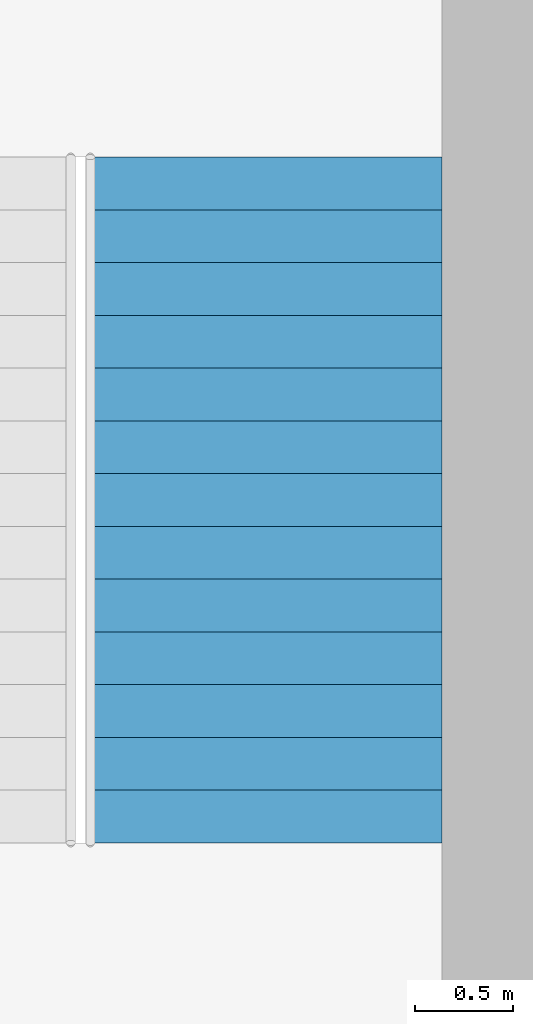
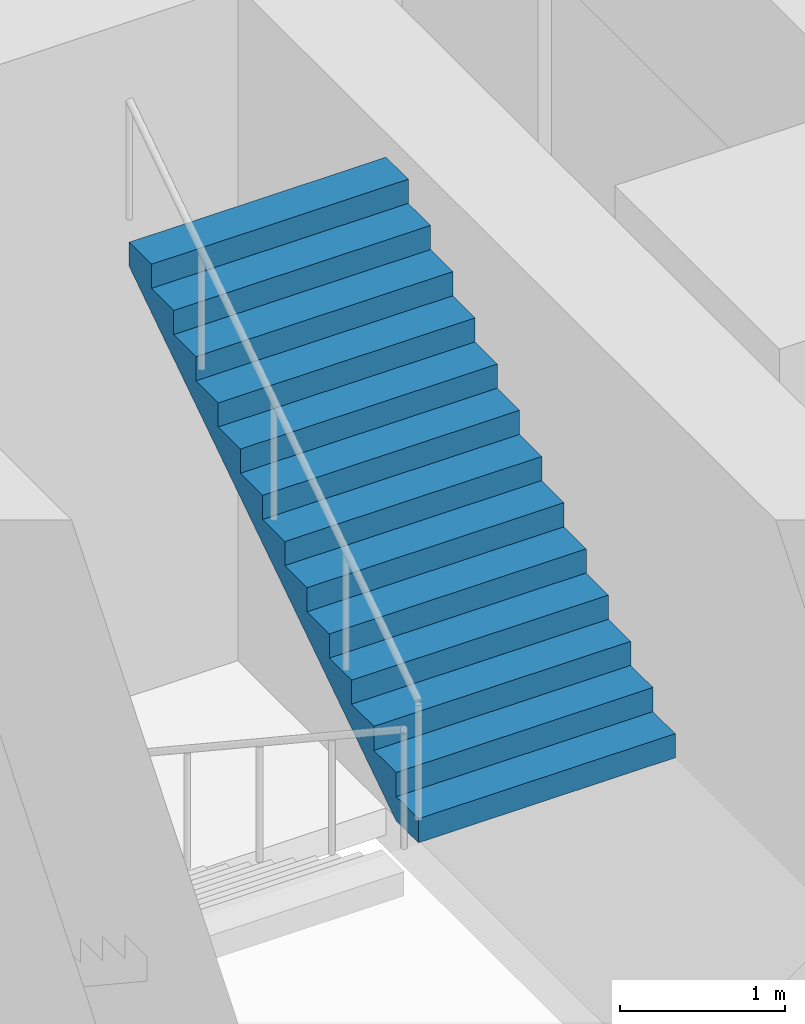
# One storey, part 13 of 16: 1 stair flight, 1 element without a shape of its own.
"""IFC4 building model written with IfcOpenShell, lengths in metres."""

from ifc_helpers import new_model, si_unit, direction, frame, origin, place, context, subcontext, project, spatial, polyline, outline, extrude, material, type_object, element, aggregate, save


model = new_model("IFC4")

# Units and contexts
model_context = context("Model", 3, precision=1e-05, world=origin(), true_north=direction((0.0, 1.0)))
body_context = subcontext(model_context, "Body", "Model", "MODEL_VIEW")
ifc_project = project(units=[si_unit("LENGTHUNIT", "METRE"), si_unit("AREAUNIT", "SQUARE_METRE"), si_unit("VOLUMEUNIT", "CUBIC_METRE"), si_unit("PLANEANGLEUNIT", "RADIAN"), si_unit("MASSUNIT", "GRAM", prefix="KILO")], contexts=[model_context])

# Site, building, storey
site_placement = place(None, origin())
site = spatial("IfcSite", under=ifc_project, at=site_placement, CompositionType="ELEMENT")
building_placement = place(site_placement, origin())
building = spatial("IfcBuilding", under=site, at=building_placement, Name="Cleftline Residences", CompositionType="ELEMENT")
storey_placement = place(building_placement, frame((0.0, 0.0, 16.0)))
storey = spatial("IfcBuildingStorey", under=building, at=storey_placement, Name="L03", CompositionType="ELEMENT", Elevation=16.0)

# Stair, stair flight
ifc_material_1 = material(Name="Concrete B45, stone treads", Category="masonry")
stair_type = type_object("IfcStairType", Name="STAIR E 1800 WIDE 179 RISER", PredefinedType="HALF_TURN_STAIR", material=ifc_material_1)
stair_placement = place(storey_placement, origin())
stair = element("IfcStair", 1, at=stair_placement, inside=storey, type_object=stair_type, Name="Stair E L03", PredefinedType="HALF_TURN_STAIR")
ifc_material_2 = material(Name="Concrete B45", Category="concrete")
stair_flight_type = type_object("IfcStairFlightType", Name="STAIR E FLIGHT 1800X179", PredefinedType="STRAIGHT", material=ifc_material_2)
stair_flight_placement = place(storey_placement, frame((62.824951171875, 22.6650390625, 2.5), z_axis=(0.0, 0.0, 1.0), x_axis=(0.0, 1.0, 0.0)))
stair_flight = element("IfcStairFlight", 2, at=stair_flight_placement, type_object=stair_flight_type, Name="ST-E flight 2", NumberOfRisers=14, NumberOfTreads=13, PredefinedType="STRAIGHT", RiserHeight=0.178571429, TreadLength=0.27, context=body_context, shape_type="SweptSolid", body=[
    extrude(outline(polyline([(0.0, 0.0), (0.0, 0.013671875), (0.0, 0.027587890625), (0.0, 0.041259765625), (0.0, 0.054931640625), (0.0, 0.068603515625), (0.0, 0.08251953125), (0.0, 0.09619140625), (0.0, 0.10986328125), (0.0, 0.12353515625), (0.0, 0.137451171875), (0.0, 0.151123046875), (0.0, 0.164794921875), (0.0, 0.178466796875), (0.27001953125, 0.178466796875), (0.27001953125, 0.357177734375), (0.5400390625, 0.357177734375), (0.5400390625, 0.53564453125), (0.81005859375, 0.53564453125), (0.81005859375, 0.71435546875), (1.080078125, 0.71435546875), (1.080078125, 0.892822265625), (1.35009765625, 0.892822265625), (1.35009765625, 1.071533203125), (1.6201171875, 1.071533203125), (1.6201171875, 1.25), (1.889892578125, 1.25), (1.889892578125, 1.428466796875), (2.159912109375, 1.428466796875), (2.159912109375, 1.607177734375), (2.429931640625, 1.607177734375), (2.429931640625, 1.78564453125), (2.699951171875, 1.78564453125), (2.699951171875, 1.96435546875), (2.969970703125, 1.96435546875), (2.969970703125, 2.142822265625), (3.239990234375, 2.142822265625), (3.239990234375, 2.321533203125), (3.510009765625, 2.321533203125), (3.510009765625, 2.5), (3.510009765625, 2.472412109375), (3.510009765625, 2.44482421875), (3.510009765625, 2.417236328125), (3.510009765625, 2.3896484375), (3.510009765625, 2.3623046875), (3.510009765625, 2.334716796875), (3.510009765625, 2.30712890625), (3.510009765625, 2.279541015625), (3.510009765625, 2.251953125), (3.510009765625, 2.224365234375), (3.510009765625, 2.19677734375), (3.510009765625, 2.169189453125), (3.510009765625, 2.1416015625), (0.271728515625, 0.0), (0.0, 0.0)])), frame((0.0, 0.89990234375, 0.0), z_axis=(0.0, -1.0, 0.0), x_axis=(1.0, 0.0, 0.0)), (0.0, 0.0, 1.0), 1.800048828125),
])
aggregate(stair, [stair_flight])

save(model, "model.ifc")
